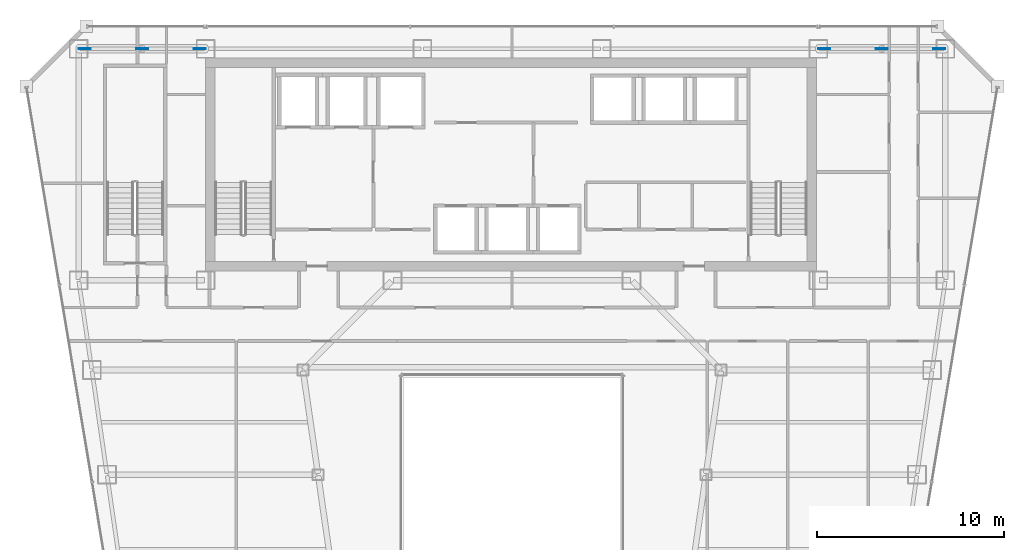
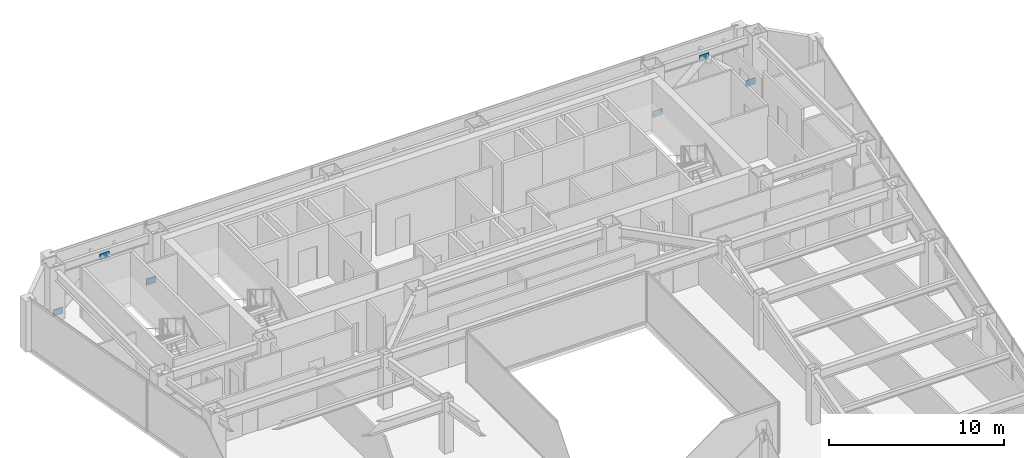
# One storey, part 30 of 37: 6 plates.
"""IFC4 building model written with IfcOpenShell, lengths in metres."""

from ifc_helpers import new_model, si_unit, direction, frame, origin, origin_2d, place, context, subcontext, project, spatial, rectangle, extrude, material, layer, layer_set, type_object, element, save


model = new_model("IFC4")

# Units and contexts
model_context = context("Model", 3, precision=1e-05, world=origin(), true_north=direction((0.0, 1.0)))
body_context = subcontext(model_context, "Body", "Model", "MODEL_VIEW")
ifc_project = project(units=[si_unit("LENGTHUNIT", "METRE"), si_unit("AREAUNIT", "SQUARE_METRE"), si_unit("VOLUMEUNIT", "CUBIC_METRE"), si_unit("PLANEANGLEUNIT", "RADIAN"), si_unit("MASSUNIT", "GRAM", prefix="KILO")], contexts=[model_context])

# Site, building, storey
site_placement = place(None, origin())
site = spatial("IfcSite", under=ifc_project, at=site_placement, CompositionType="ELEMENT")
building_placement = place(site_placement, origin())
building = spatial("IfcBuilding", under=site, at=building_placement, Name="Saevonmaru Cultural Tower", CompositionType="ELEMENT")
storey_placement = place(building_placement, frame((0.0, 0.0, 141.0)))
storey = spatial("IfcBuildingStorey", under=building, at=storey_placement, Name="L30", CompositionType="ELEMENT", Elevation=141.0)

# Plates
ifc_material = material(Name="Steel HSA600 (600 MPa)", Category="steel")
ifc_layer = layer(ifc_material, 0.0400390625, Name="Steel HSA600 (600 MPa)")
ifc_layer_set = layer_set([ifc_layer], Name="Steel HSA600 (600 MPa)")
plate_type = type_object("IfcPlateType", Name="PL-GUSSET-EXT", PredefinedType="USERDEFINED", material=ifc_layer_set)
for number, where, z_axis, x_axis, name in (
    (1, (10.199951171875, 54.800048828125, 2.85009765625), (0.0, 0.0, 1.0), (1.0, 0.0, 0.0), "L30 Perimeter Tube Gusset Plate"),
    (2, (7.1201171875, 54.800048828125, 0.02001953125), (0.0, 0.0, 1.0), (1.0, 0.0, 0.0), "L30 Perimeter Tube Gusset Plate"),
    (3, (13.280029296875, 54.800048828125, 0.02001953125), (0.0, 0.0, 1.0), (1.0, 0.0, 0.0), "L30 Perimeter Tube Gusset Plate"),
    (4, (49.800048828125, 54.800048828125, 2.85009765625), (0.0, 0.0, 1.0), (1.0, 0.0, 0.0), "L30 Perimeter Tube Gusset Plate"),
    (5, (46.719970703125, 54.800048828125, 0.02001953125), (0.0, 0.0, 1.0), (1.0, 0.0, 0.0), "L30 Perimeter Tube Gusset Plate"),
    (6, (52.8798828125, 54.800048828125, 0.02001953125), (0.0, 0.0, 1.0), (1.0, 0.0, 0.0), "L30 Perimeter Tube Gusset Plate"),
):
    element("IfcPlate", number, at=place(storey_placement, frame(where, z_axis=z_axis, x_axis=x_axis)), inside=storey, type_object=plate_type, Name=name, ObjectType="GUSSET_PLATE", PredefinedType="USERDEFINED", context=body_context, shape_type="SweptSolid", body=[
        extrude(rectangle(XDim=0.639892578125, YDim=0.0400390625, at=origin_2d()), origin(), (0.0, 0.0, 1.0), 0.43994140625),
    ])

save(model, "model.ifc")
